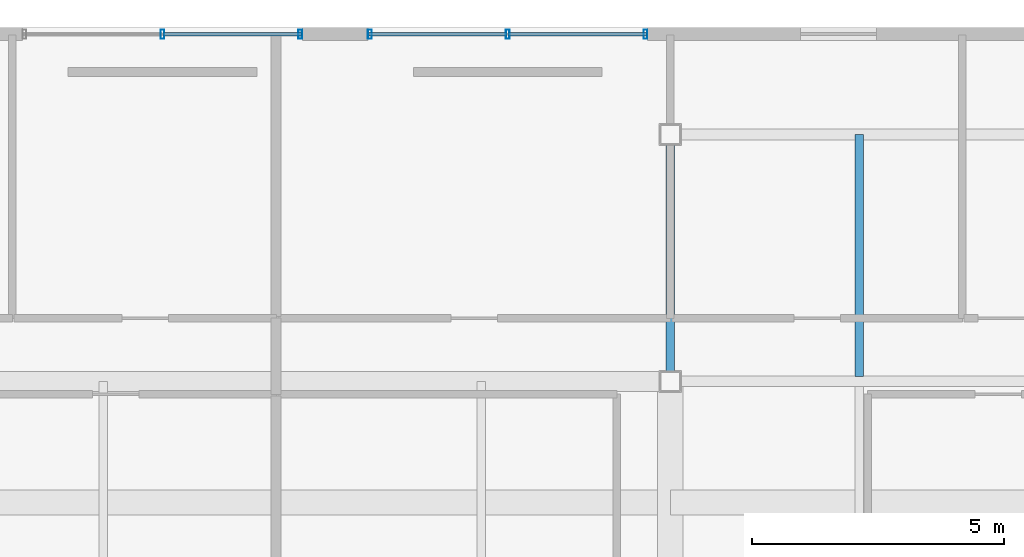
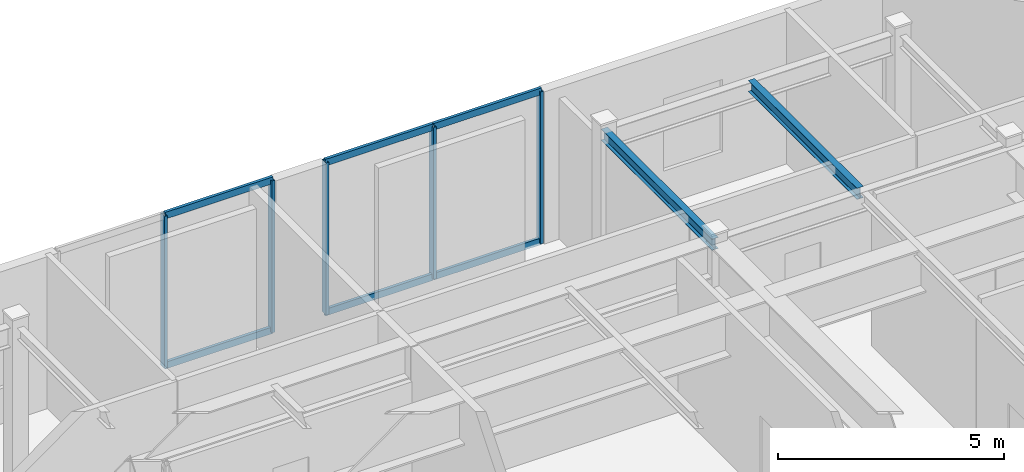
# One storey, part 4 of 10: 11 members, 2 beams, 2 elements without a shape of their own.
"""IFC4 building model written with IfcOpenShell, lengths in metres."""

import ifcopenshell
import ifcopenshell.guid

model = None  # the IFC model being written
_history = None  # IfcOwnerHistory: only IFC2X3 demands one
_inside = {}  # id of a spatial element -> (the spatial element, [elements in it])
_under = {}  # id of a project, library or spatial element -> (it, [spatial elements below it])
_declared = {}  # id of a project -> (the project, [libraries it declares])
_typed = {}  # id of a type object -> (the type object, [elements of that type])
_made_of = {}  # id of a material, layer set ... -> (it, [elements and type objects made of it])


def new_model(schema):
    """Start an empty IFC model of exactly this schema.

    Asked for "IFC4X3", IfcOpenShell would pick the latest addendum, in which some entities
    have other attributes; the version numbers below select the first issue.
    IFC2X3 requires an IfcOwnerHistory on every rooted entity: one is made here for all.
    """
    global model, _history
    if schema == "IFC4X3":
        model = ifcopenshell.file(schema_version=(4, 3, 0, 0))
    else:
        model = ifcopenshell.file(schema=schema)
    _inside.clear()
    _under.clear()
    _declared.clear()
    _typed.clear()
    _made_of.clear()
    _history = None
    if model.schema == "IFC2X3":
        org = make("IfcOrganization", Name="unknown")
        user = make(
            "IfcPersonAndOrganization",
            ThePerson=make("IfcPerson", FamilyName="unknown"),
            TheOrganization=org,
        )
        app = make(
            "IfcApplication",
            ApplicationDeveloper=org,
            Version="unknown",
            ApplicationFullName="unknown",
            ApplicationIdentifier="unknown",
        )
        _history = make(
            "IfcOwnerHistory",
            OwningUser=user,
            OwningApplication=app,
            ChangeAction="ADDED",
            CreationDate=0,
        )
    return model


def make(cls, **values):
    """One entity of the class cls with the attributes given. An attribute that is None is left unset."""
    return model.create_entity(
        cls, **{name: value for name, value in values.items() if value is not None}
    )


def rooted(cls, **values):
    """An entity with a GlobalId (a new one), such as an element, a storey or a relation."""
    return make(cls, GlobalId=ifcopenshell.guid.new(), OwnerHistory=_history, **values)


def si_unit(unit_type, name, prefix=None):
    """IfcSIUnit, for example si_unit("LENGTHUNIT", "METRE", prefix="MILLI")."""
    return make("IfcSIUnit", UnitType=unit_type, Prefix=prefix, Name=name)


def assignment(units):
    """IfcUnitAssignment: the units of a project."""
    return None if units is None else make("IfcUnitAssignment", Units=units)


def point(xyz):
    """IfcCartesianPoint."""
    return None if xyz is None else make("IfcCartesianPoint", Coordinates=xyz)


def direction(xyz):
    """IfcDirection."""
    return None if xyz is None else make("IfcDirection", DirectionRatios=xyz)


def frame(location, z_axis=None, x_axis=None):
    """IfcAxis2Placement3D, a coordinate frame: its origin and axes. An axis left out is left unset."""
    return make(
        "IfcAxis2Placement3D",
        Location=point(location),
        Axis=direction(z_axis),
        RefDirection=direction(x_axis),
    )


def frame_2d(location, x_axis=None):
    """IfcAxis2Placement2D, a coordinate frame in the plane: its origin and x axis."""
    return make(
        "IfcAxis2Placement2D", Location=point(location), RefDirection=direction(x_axis)
    )


def origin():
    """The frame at (0, 0, 0) with its axes left unset."""
    return frame((0.0, 0.0, 0.0))


def origin_2d():
    """The frame at (0, 0) in the plane with its x axis left unset."""
    return frame_2d((0.0, 0.0))


def place(relative_to, where):
    """IfcLocalPlacement: puts the frame where relative to a parent placement (None: the world)."""
    return make(
        "IfcLocalPlacement", PlacementRelTo=relative_to, RelativePlacement=where
    )


def context(
    kind, dimensions, precision=None, world=None, true_north=None, identifier=None
):
    """IfcGeometricRepresentationContext, for example the 3D "Model" context."""
    return make(
        "IfcGeometricRepresentationContext",
        ContextIdentifier=identifier,
        ContextType=kind,
        CoordinateSpaceDimension=dimensions,
        Precision=precision,
        WorldCoordinateSystem=world,
        TrueNorth=true_north,
    )


def subcontext(parent, identifier, kind, view, scale=None):
    """IfcGeometricRepresentationSubContext, for example "Body" below "Model"."""
    return make(
        "IfcGeometricRepresentationSubContext",
        ContextIdentifier=identifier,
        ContextType=kind,
        ParentContext=parent,
        TargetScale=scale,
        TargetView=view,
    )


def project(units=None, contexts=None):
    """IfcProject with its units and contexts."""
    return rooted(
        "IfcProject",
        Name="project",
        RepresentationContexts=contexts,
        UnitsInContext=assignment(units),
    )


def spatial(cls, under=None, at=None, **own):
    """A site, building, storey or space (cls), placed at a placement, below another one or the project."""
    s = rooted(cls, ObjectPlacement=at, **own)
    if under is not None:
        _under.setdefault(under.id(), (under, []))[1].append(s)
    return s


def profile(cls, at=None, kind="AREA", **sizes):
    """A parametric profile (cls). Its sizes go by their IFC names, for example OverallWidth=200.0."""
    return make(cls, ProfileType=kind, Position=at, **sizes)


def hollow_rectangle(**sizes):
    """IfcRectangleHollowProfileDef."""
    return profile("IfcRectangleHollowProfileDef", **sizes)


def i_section(**sizes):
    """IfcIShapeProfileDef."""
    return profile("IfcIShapeProfileDef", **sizes)


def extrude(swept, where, along, depth):
    """IfcExtrudedAreaSolid: the profile swept, set in the frame where, extruded along a direction by depth."""
    return make(
        "IfcExtrudedAreaSolid",
        SweptArea=swept,
        Position=where,
        ExtrudedDirection=direction(along),
        Depth=depth,
    )


def shape(context_of_items, identifier, shape_type, items):
    """IfcShapeRepresentation: the items that make up one representation, for example the "Body"."""
    return make(
        "IfcShapeRepresentation",
        ContextOfItems=context_of_items,
        RepresentationIdentifier=identifier,
        RepresentationType=shape_type,
        Items=items,
    )


def material(Name=None, Category=None):
    """IfcMaterial."""
    return make("IfcMaterial", Name=Name, Category=Category)


def material_profile(
    of_material, cross_section, Name=None, Category=None, Priority=None
):
    """IfcMaterialProfile: a cross section and its material."""
    return make(
        "IfcMaterialProfile",
        Name=Name,
        Material=of_material,
        Profile=cross_section,
        Priority=Priority,
        Category=Category,
    )


def profile_set(profiles, Name=None, composite=None):
    """IfcMaterialProfileSet."""
    return make(
        "IfcMaterialProfileSet",
        Name=Name,
        MaterialProfiles=profiles,
        CompositeProfile=composite,
    )


def made_of(thing, what):
    """Note that an element or type object is made of a material, layer set ...; save() writes the relation."""
    if what is not None:
        _made_of.setdefault(what.id(), (what, []))[1].append(thing)
    return thing


def type_object(cls, material=None, **own):
    """A type object (cls), such as IfcWallType, which elements share."""
    return made_of(rooted(cls, **own), material)


def element(
    cls,
    number,
    at=None,
    inside=None,
    cuts=None,
    type_object=None,
    material=None,
    context=None,
    identifier="Body",
    shape_type=None,
    held_by="IfcProductDefinitionShape",
    body=None,
    shapes=None,
    **own,
):
    """One element of the class cls, such as IfcWall. Its Tag is "e" and its number.

    at: its placement. inside: the storey or other place that contains it. cuts: it is an
    opening in that element (IfcRelVoidsElement). A single representation is given by context,
    identifier, shape_type and body (its items); several are given by shapes. held_by: the class
    of the entity that holds the representations. save() writes the other relations.
    """
    e = rooted(cls, Tag="e%d" % number, ObjectPlacement=at, **own)
    if body is not None:
        shapes = [shape(context, identifier, shape_type, body)]
    if shapes is not None:
        e.Representation = make(held_by, Representations=shapes)
    if inside is not None:
        _inside.setdefault(inside.id(), (inside, []))[1].append(e)
    if cuts is not None:
        rooted(
            "IfcRelVoidsElement", RelatingBuildingElement=cuts, RelatedOpeningElement=e
        )
    if type_object is not None:
        _typed.setdefault(type_object.id(), (type_object, []))[1].append(e)
    return made_of(e, material)


def aggregate(whole, parts):
    """IfcRelAggregates: a whole, such as a stair, and the parts it consists of."""
    return rooted("IfcRelAggregates", RelatingObject=whole, RelatedObjects=parts)


def save(model, path):
    """Write the relations noted so far, then the file.

    IfcRelAggregates (storeys below a building ...), IfcRelContainedInSpatialStructure (elements
    in a storey), IfcRelDefinesByType, IfcRelAssociatesMaterial and IfcRelDeclares: one each for
    every whole, place, type object, material and project.
    """
    for whole, parts in _under.values():
        aggregate(whole, parts)
    for where, things in _inside.values():
        rooted(
            "IfcRelContainedInSpatialStructure",
            RelatedElements=things,
            RelatingStructure=where,
        )
    for kind, things in _typed.values():
        rooted("IfcRelDefinesByType", RelatedObjects=things, RelatingType=kind)
    for what, things in _made_of.values():
        rooted("IfcRelAssociatesMaterial", RelatedObjects=things, RelatingMaterial=what)
    for by, libraries in _declared.values():
        rooted("IfcRelDeclares", RelatingContext=by, RelatedDefinitions=libraries)
    model.write(path)


model = new_model("IFC4")

# Units and contexts
model_context = context("Model", 3, precision=1e-05, world=origin(), true_north=direction((0.0, 1.0)))
body_context = subcontext(model_context, "Body", "Model", "MODEL_VIEW")
ifc_project = project(units=[si_unit("LENGTHUNIT", "METRE"), si_unit("AREAUNIT", "SQUARE_METRE"), si_unit("VOLUMEUNIT", "CUBIC_METRE"), si_unit("PLANEANGLEUNIT", "RADIAN"), si_unit("MASSUNIT", "GRAM", prefix="KILO")], contexts=[model_context])

# Site, building, storey
site_placement = place(None, origin())
site = spatial("IfcSite", under=ifc_project, at=site_placement, CompositionType="ELEMENT")
building_placement = place(site_placement, origin())
building = spatial("IfcBuilding", under=site, at=building_placement, Name="Ventersveld Concourse Tower", CompositionType="ELEMENT")
storey_placement = place(building_placement, frame((0.0, 0.0, 362.25)))
storey = spatial("IfcBuildingStorey", under=building, at=storey_placement, Name="L89", CompositionType="ELEMENT", Elevation=362.25)

# Beams
ifc_material_1 = material(Name="Structural steel S355J2", Category="steel")
ifc_material_profile_1 = material_profile(ifc_material_1, i_section(OverallWidth=0.1650390625, OverallDepth=0.303466796875, WebThickness=0.006103515625, FlangeThickness=0.01025390625, FilletRadius=0.0087890625, at=origin_2d()), Name="UB 305x165x40")
ifc_profile_set_1 = profile_set([ifc_material_profile_1], Name="Structural steel S355J2")
beam_type = type_object("IfcBeamType", Name="BM-UB305", PredefinedType="BEAM", material=ifc_profile_set_1)
beam_1_placement = place(storey_placement, frame((36.25, 23.60009765625, 3.9482421875), z_axis=(0.0, 1.0, 0.0), x_axis=(-1.0, 0.0, 0.0)))
element("IfcBeam", 1, at=beam_1_placement, inside=storey, type_object=beam_type, Name="L89 N-S Upper-Zone Floor Beam X=36.25", PredefinedType="BEAM", context=body_context, shape_type="SweptSolid", body=[
    extrude(i_section(OverallWidth=0.1650390625, OverallDepth=0.303466796875, WebThickness=0.006103515625, FlangeThickness=0.01025390625, FilletRadius=0.0087890625, at=origin_2d()), origin(), (0.0, 0.0, 1.0), 4.89990234375),
])
beam_2_placement = place(storey_placement, frame((40.0, 23.695068359375, 3.9482421875), z_axis=(0.0, 1.0, 0.0), x_axis=(-1.0, 0.0, 0.0)))
element("IfcBeam", 2, at=beam_2_placement, inside=storey, type_object=beam_type, Name="L89 N-S Upper-Zone Floor Beam X=40.00", PredefinedType="BEAM", context=body_context, shape_type="SweptSolid", body=[
    extrude(i_section(OverallWidth=0.1650390625, OverallDepth=0.303466796875, WebThickness=0.006103515625, FlangeThickness=0.01025390625, FilletRadius=0.0087890625, at=origin_2d()), origin(), (0.0, 0.0, 1.0), 4.804931640625),
])

# Curtain wall, members
ifc_material_2 = material(Name="Anodised aluminium EN AW-6063-T6", Category="aluminium")
curtain_wall_type = type_object("IfcCurtainWallType", Name="CW-SLOB-3", PredefinedType="NOTDEFINED", material=ifc_material_2)
curtain_wall_1_placement = place(storey_placement, origin())
curtain_wall_1 = element("IfcCurtainWall", 3, at=curtain_wall_1_placement, inside=storey, type_object=curtain_wall_type, Name="L89 L89 High-Zone Observatory Curtain Wall West", PredefinedType="NOTDEFINED")
ifc_material_profile_2 = material_profile(ifc_material_2, hollow_rectangle(XDim=0.074951171875, YDim=0.179931640625, WallThickness=0.00390625, at=origin_2d()), Name="ALU 180x75x4")
ifc_profile_set_2 = profile_set([ifc_material_profile_2], Name="Anodised aluminium EN AW-6063-T6")
member_type_1 = type_object("IfcMemberType", Name="CWM-180x75", PredefinedType="MULLION", material=ifc_profile_set_2)
member_1_placement = place(storey_placement, frame((26.175048828125, 30.489990234375, 0.0), z_axis=(0.0, 0.0, 1.0), x_axis=(1.0, 0.0, 0.0)))
member_1 = element("IfcMember", 4, at=member_1_placement, type_object=member_type_1, Name="CW-L89-N1 Mullion 02", PredefinedType="MULLION", context=body_context, shape_type="SweptSolid", body=[
    extrude(hollow_rectangle(XDim=0.074951171875, YDim=0.179931640625, WallThickness=0.00390625, at=origin_2d()), origin(), (0.0, 0.0, 1.0), 4.10009765625),
])
member_2_placement = place(storey_placement, frame((28.909912109375, 30.489990234375, 0.0), z_axis=(0.0, 0.0, 1.0), x_axis=(1.0, 0.0, 0.0)))
member_2 = element("IfcMember", 5, at=member_2_placement, type_object=member_type_1, Name="CW-L89-N1 Mullion 03", PredefinedType="MULLION", context=body_context, shape_type="SweptSolid", body=[
    extrude(hollow_rectangle(XDim=0.074951171875, YDim=0.179931640625, WallThickness=0.00390625, at=origin_2d()), origin(), (0.0, 0.0, 1.0), 4.10009765625),
])

curtain_wall_2_placement = place(storey_placement, origin())
curtain_wall_2 = element("IfcCurtainWall", 6, at=curtain_wall_2_placement, inside=storey, type_object=curtain_wall_type, Name="L89 L89 High-Zone Observatory Curtain Wall East", PredefinedType="NOTDEFINED")
member_3_placement = place(storey_placement, frame((30.2900390625, 30.489990234375, 0.0), z_axis=(0.0, 0.0, 1.0), x_axis=(1.0, 0.0, 0.0)))
member_3 = element("IfcMember", 7, at=member_3_placement, type_object=member_type_1, Name="CW-L89-N2 Mullion 01", PredefinedType="MULLION", context=body_context, shape_type="SweptSolid", body=[
    extrude(hollow_rectangle(XDim=0.074951171875, YDim=0.179931640625, WallThickness=0.00390625, at=origin_2d()), origin(), (0.0, 0.0, 1.0), 4.10009765625),
])
member_4_placement = place(storey_placement, frame((33.02490234375, 30.489990234375, 0.0), z_axis=(0.0, 0.0, 1.0), x_axis=(1.0, 0.0, 0.0)))
member_4 = element("IfcMember", 8, at=member_4_placement, type_object=member_type_1, Name="CW-L89-N2 Mullion 02", PredefinedType="MULLION", context=body_context, shape_type="SweptSolid", body=[
    extrude(hollow_rectangle(XDim=0.074951171875, YDim=0.179931640625, WallThickness=0.00390625, at=origin_2d()), origin(), (0.0, 0.0, 1.0), 4.10009765625),
])
member_5_placement = place(storey_placement, frame((35.760009765625, 30.489990234375, 0.0), z_axis=(0.0, 0.0, 1.0), x_axis=(1.0, 0.0, 0.0)))
member_5 = element("IfcMember", 9, at=member_5_placement, type_object=member_type_1, Name="CW-L89-N2 Mullion 03", PredefinedType="MULLION", context=body_context, shape_type="SweptSolid", body=[
    extrude(hollow_rectangle(XDim=0.074951171875, YDim=0.179931640625, WallThickness=0.00390625, at=origin_2d()), origin(), (0.0, 0.0, 1.0), 4.10009765625),
])

# Member
ifc_material_profile_3 = material_profile(ifc_material_2, hollow_rectangle(XDim=0.074951171875, YDim=0.179931640625, WallThickness=0.00390625, at=origin_2d()), Name="ALU 180x75x4")
ifc_profile_set_3 = profile_set([ifc_material_profile_3], Name="Anodised aluminium EN AW-6063-T6")
member_type_2 = type_object("IfcMemberType", Name="CWT-180x75", PredefinedType="USERDEFINED", material=ifc_profile_set_3)
member_6_placement = place(storey_placement, frame((26.18505859375, 30.489990234375, 0.030029296875), z_axis=(1.0, 0.0, 0.0), x_axis=(0.0, 1.0, 0.0)))
member_6 = element("IfcMember", 10, at=member_6_placement, type_object=member_type_2, Name="CW-L89-N1 Transom 1-02", ObjectType="TRANSOM", PredefinedType="USERDEFINED", context=body_context, shape_type="SweptSolid", body=[
    extrude(hollow_rectangle(XDim=0.074951171875, YDim=0.179931640625, WallThickness=0.00390625, at=origin_2d()), origin(), (0.0, 0.0, 1.0), 2.744873046875),
])

member_7_placement = place(storey_placement, frame((26.18505859375, 30.489990234375, 4.070068359375), z_axis=(1.0, 0.0, 0.0), x_axis=(0.0, 1.0, 0.0)))
member_7 = element("IfcMember", 11, at=member_7_placement, type_object=member_type_2, Name="CW-L89-N1 Transom 2-02", ObjectType="TRANSOM", PredefinedType="USERDEFINED", context=body_context, shape_type="SweptSolid", body=[
    extrude(hollow_rectangle(XDim=0.074951171875, YDim=0.179931640625, WallThickness=0.00390625, at=origin_2d()), origin(), (0.0, 0.0, 1.0), 2.744873046875),
])

aggregate(curtain_wall_1, [member_1, member_2, member_6, member_7])

member_8_placement = place(storey_placement, frame((30.27001953125, 30.489990234375, 0.030029296875), z_axis=(1.0, 0.0, 0.0), x_axis=(0.0, 1.0, 0.0)))
member_8 = element("IfcMember", 12, at=member_8_placement, type_object=member_type_2, Name="CW-L89-N2 Transom 1-01", ObjectType="TRANSOM", PredefinedType="USERDEFINED", context=body_context, shape_type="SweptSolid", body=[
    extrude(hollow_rectangle(XDim=0.074951171875, YDim=0.179931640625, WallThickness=0.00390625, at=origin_2d()), origin(), (0.0, 0.0, 1.0), 2.744873046875),
])

member_9_placement = place(storey_placement, frame((33.034912109375, 30.489990234375, 0.030029296875), z_axis=(1.0, 0.0, 0.0), x_axis=(0.0, 1.0, 0.0)))
member_9 = element("IfcMember", 13, at=member_9_placement, type_object=member_type_2, Name="CW-L89-N2 Transom 1-02", ObjectType="TRANSOM", PredefinedType="USERDEFINED", context=body_context, shape_type="SweptSolid", body=[
    extrude(hollow_rectangle(XDim=0.074951171875, YDim=0.179931640625, WallThickness=0.00390625, at=origin_2d()), origin(), (0.0, 0.0, 1.0), 2.7451171875),
])

member_10_placement = place(storey_placement, frame((30.27001953125, 30.489990234375, 4.070068359375), z_axis=(1.0, 0.0, 0.0), x_axis=(0.0, 1.0, 0.0)))
member_10 = element("IfcMember", 14, at=member_10_placement, type_object=member_type_2, Name="CW-L89-N2 Transom 2-01", ObjectType="TRANSOM", PredefinedType="USERDEFINED", context=body_context, shape_type="SweptSolid", body=[
    extrude(hollow_rectangle(XDim=0.074951171875, YDim=0.179931640625, WallThickness=0.00390625, at=origin_2d()), origin(), (0.0, 0.0, 1.0), 2.744873046875),
])

member_11_placement = place(storey_placement, frame((33.034912109375, 30.489990234375, 4.070068359375), z_axis=(1.0, 0.0, 0.0), x_axis=(0.0, 1.0, 0.0)))
member_11 = element("IfcMember", 15, at=member_11_placement, type_object=member_type_2, Name="CW-L89-N2 Transom 2-02", ObjectType="TRANSOM", PredefinedType="USERDEFINED", context=body_context, shape_type="SweptSolid", body=[
    extrude(hollow_rectangle(XDim=0.074951171875, YDim=0.179931640625, WallThickness=0.00390625, at=origin_2d()), origin(), (0.0, 0.0, 1.0), 2.7451171875),
])

aggregate(curtain_wall_2, [member_3, member_4, member_5, member_8, member_9, member_10, member_11])

save(model, "model.ifc")
